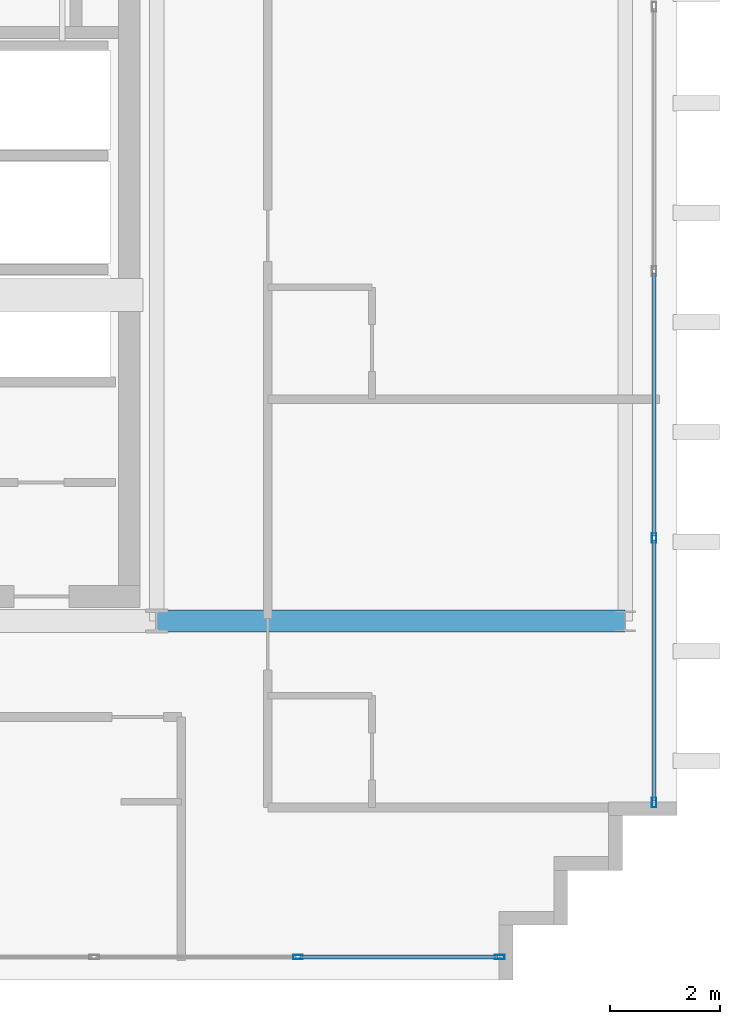
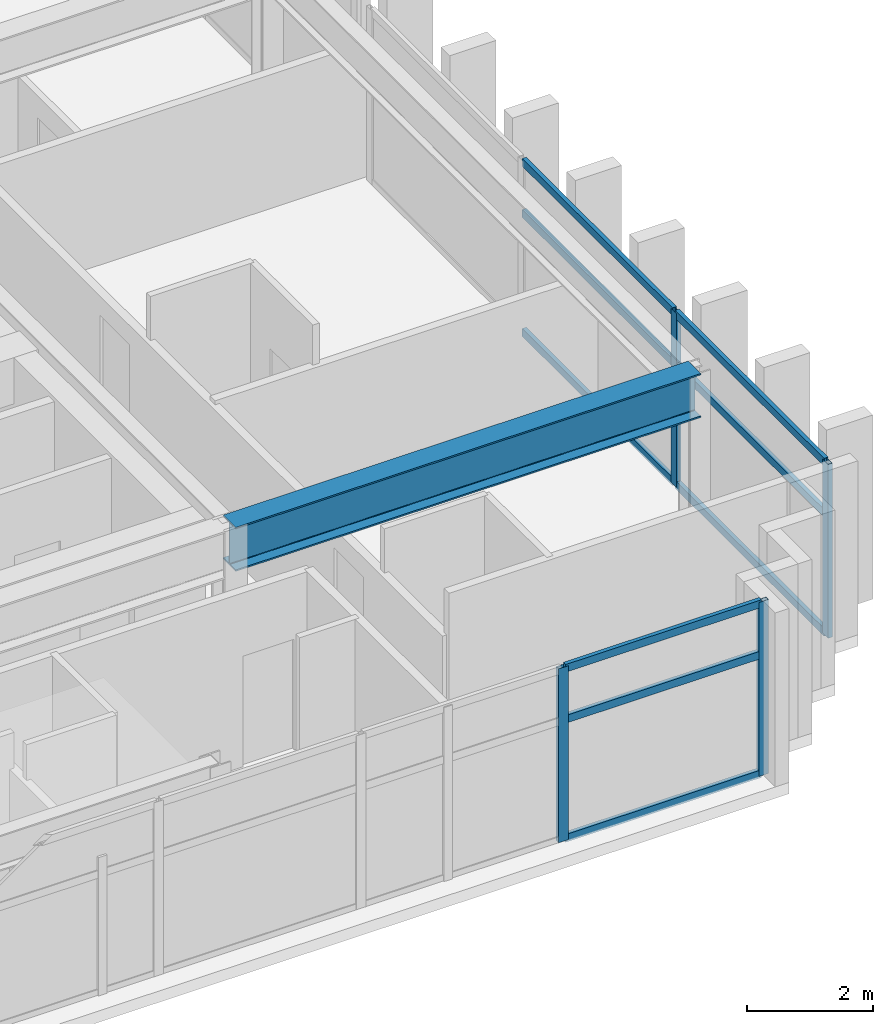
# One storey, part 4 of 15: 13 members, 1 beam, 2 elements without a shape of their own.
"""IFC4 building model written with IfcOpenShell, lengths in metres."""

from ifc_helpers import new_model, si_unit, direction, frame, origin, origin_2d, place, context, subcontext, project, spatial, hollow_rectangle, i_section, extrude, source, transform, mapped, material, layer, layer_set, material_profile, profile_set, type_object, element, aggregate, save


model = new_model("IFC4")

# Units and contexts
model_context = context("Model", 3, precision=1e-05, world=origin(), true_north=direction((0.0, 1.0)))
body_context = subcontext(model_context, "Body", "Model", "MODEL_VIEW")
ifc_project = project(units=[si_unit("LENGTHUNIT", "METRE"), si_unit("AREAUNIT", "SQUARE_METRE"), si_unit("VOLUMEUNIT", "CUBIC_METRE"), si_unit("PLANEANGLEUNIT", "RADIAN"), si_unit("MASSUNIT", "GRAM", prefix="KILO")], contexts=[model_context])

# Site, building, storey
site_placement = place(None, origin())
site = spatial("IfcSite", under=ifc_project, at=site_placement, CompositionType="ELEMENT")
building_placement = place(site_placement, origin())
building = spatial("IfcBuilding", under=site, at=building_placement, Name="Ocotamira Hotel", CompositionType="ELEMENT")
storey_placement = place(building_placement, frame((0.0, 0.0, 290.39990234375)))
storey = spatial("IfcBuildingStorey", under=building, at=storey_placement, Name="L74", CompositionType="ELEMENT", Elevation=290.39990234375)

# Beam
ifc_material_1 = material(Name="Steel ASTM A992 Grade 50", Category="steel")
ifc_material_profile_1 = material_profile(ifc_material_1, i_section(OverallWidth=0.39990234375, OverallDepth=0.85595703125, WebThickness=0.018310546875, FlangeThickness=0.029296875, FilletRadius=0.02001953125, at=origin_2d()), Name="W33X201")
ifc_profile_set_1 = profile_set([ifc_material_profile_1], Name="Steel ASTM A992 Grade 50")
beam_type = type_object("IfcBeamType", Name="BM-GIRD-W33X201", PredefinedType="BEAM", material=ifc_profile_set_1)
shared_shape_1 = source(origin(), body_context, "Body", "SweptSolid", [
    extrude(i_section(OverallWidth=0.39990234375, OverallDepth=0.85595703125, WebThickness=0.018310546875, FlangeThickness=0.029296875, FilletRadius=0.02001953125, at=origin_2d()), origin(), (0.0, 0.0, 1.0), 8.550048828125),
])
beam_placement = place(storey_placement, frame((23.5, 14.550048828125, 2.9521484375), z_axis=(1.0, 0.0, 0.0), x_axis=(0.0, 1.0, 0.0)))
element("IfcBeam", 1, at=beam_placement, inside=storey, type_object=beam_type, Name="L74 Girder Y14.55 X23.5-32.05", PredefinedType="BEAM", context=body_context, shape_type="MappedRepresentation", body=[
    mapped(shared_shape_1, transform((0.0, 0.0, 0.0), scale=1.0)),
])

# Curtain wall, members
ifc_material_2 = material(Name="Anodised pale-metal aluminium and solar glass", Category="aluminium")
ifc_layer = layer(ifc_material_2, 0.2099609375)
ifc_layer_set = layer_set([ifc_layer], Name="Anodised pale-metal aluminium and solar glass")
curtain_wall_type = type_object("IfcCurtainWallType", Name="CW-SYS7-PEAK", PredefinedType="NOTDEFINED", material=ifc_layer_set)
curtain_wall_1_placement = place(storey_placement, origin())
curtain_wall_1 = element("IfcCurtainWall", 2, at=curtain_wall_1_placement, inside=storey, type_object=curtain_wall_type, Name="L74 Curtain Wall CW-7 CW-L74-S1", PredefinedType="NOTDEFINED")
ifc_material_3 = material(Name="Anodised pale-metal aluminium 6063-T6", Category="aluminium")
ifc_material_profile_2 = material_profile(ifc_material_3, hollow_rectangle(XDim=0.080078125, YDim=0.179931640625, WallThickness=0.006103515625, at=origin_2d()), Name="HSS180X80X6")
ifc_profile_set_2 = profile_set([ifc_material_profile_2], Name="Anodised pale-metal aluminium 6063-T6")
member_type_1 = type_object("IfcMemberType", Name="CWM-180X75", PredefinedType="MULLION", material=ifc_profile_set_2)
shared_shape_2 = source(origin(), body_context, "Body", "SweptSolid", [
    extrude(hollow_rectangle(XDim=0.080078125, YDim=0.179931640625, WallThickness=0.006103515625, at=origin_2d()), origin(), (0.0, 0.0, 1.0), 3.380126953125),
])
member_1_placement = place(storey_placement, frame((26.080078125, 8.419921875, 0.0), z_axis=(0.0, 0.0, 1.0), x_axis=(0.0, 1.0, 0.0)))
member_1 = element("IfcMember", 3, at=member_1_placement, type_object=member_type_1, Name="CW-7 mullion 5", PredefinedType="MULLION", context=body_context, shape_type="MappedRepresentation", body=[
    mapped(shared_shape_2, transform((0.0, 0.0, 0.0), scale=1.0)),
])
member_2_placement = place(storey_placement, frame((29.760009765625, 8.419921875, 0.0), z_axis=(0.0, 0.0, 1.0), x_axis=(0.0, 1.0, 0.0)))
member_2 = element("IfcMember", 4, at=member_2_placement, type_object=member_type_1, Name="CW-7 mullion 6", PredefinedType="MULLION", context=body_context, shape_type="MappedRepresentation", body=[
    mapped(shared_shape_2, transform((0.0, 0.0, 0.0), scale=1.0)),
])

curtain_wall_2_placement = place(storey_placement, origin())
curtain_wall_2 = element("IfcCurtainWall", 5, at=curtain_wall_2_placement, inside=storey, type_object=curtain_wall_type, Name="L74 Curtain Wall CW-7 CW-L74-E1", PredefinedType="NOTDEFINED")
member_3_placement = place(storey_placement, frame((32.580078125, 11.239990234375, 0.0), z_axis=(0.0, 0.0, 1.0), x_axis=(-1.0, 0.0, 0.0)))
member_3 = element("IfcMember", 6, at=member_3_placement, type_object=member_type_1, Name="CW-7 mullion 1", PredefinedType="MULLION", context=body_context, shape_type="MappedRepresentation", body=[
    mapped(shared_shape_2, transform((0.0, 0.0, 0.0), scale=1.0)),
])
member_4_placement = place(storey_placement, frame((32.580078125, 16.066650390625, 0.0), z_axis=(0.0, 0.0, 1.0), x_axis=(-1.0, 0.0, 0.0)))
member_4 = element("IfcMember", 7, at=member_4_placement, type_object=member_type_1, Name="CW-7 mullion 2", PredefinedType="MULLION", context=body_context, shape_type="MappedRepresentation", body=[
    mapped(shared_shape_2, transform((0.0, 0.0, 0.0), scale=1.0)),
])

# Member
ifc_material_profile_3 = material_profile(ifc_material_3, hollow_rectangle(XDim=0.074951171875, YDim=0.14990234375, WallThickness=0.006103515625, at=origin_2d()), Name="HSS150X75X6")
ifc_profile_set_3 = profile_set([ifc_material_profile_3], Name="Anodised pale-metal aluminium 6063-T6")
member_type_2 = type_object("IfcMemberType", Name="CWT-150X75", PredefinedType="USERDEFINED", material=ifc_profile_set_3)
shared_shape_3 = source(origin(), body_context, "Body", "SweptSolid", [
    extrude(hollow_rectangle(XDim=0.074951171875, YDim=0.14990234375, WallThickness=0.006103515625, at=origin_2d()), origin(), (0.0, 0.0, 1.0), 3.599853515625),
])
member_5_placement = place(storey_placement, frame((26.1201171875, 8.419921875, 0.03759765625), z_axis=(1.0, 0.0, 0.0), x_axis=(0.0, 1.0, 0.0)))
member_5 = element("IfcMember", 8, at=member_5_placement, type_object=member_type_2, Name="CW-7 transom 5.1", ObjectType="TRANSOM", PredefinedType="USERDEFINED", context=body_context, shape_type="MappedRepresentation", body=[
    mapped(shared_shape_3, transform((0.0, 0.0, 0.0), scale=1.0)),
])

member_6_placement = place(storey_placement, frame((26.1201171875, 8.419921875, 2.35009765625), z_axis=(1.0, 0.0, 0.0), x_axis=(0.0, 1.0, 0.0)))
member_6 = element("IfcMember", 9, at=member_6_placement, type_object=member_type_2, Name="CW-7 transom 5.2", ObjectType="TRANSOM", PredefinedType="USERDEFINED", context=body_context, shape_type="MappedRepresentation", body=[
    mapped(shared_shape_3, transform((0.0, 0.0, 0.0), scale=1.0)),
])

member_7_placement = place(storey_placement, frame((26.1201171875, 8.419921875, 3.342529296875), z_axis=(1.0, 0.0, 0.0), x_axis=(0.0, 1.0, 0.0)))
member_7 = element("IfcMember", 10, at=member_7_placement, type_object=member_type_2, Name="CW-7 transom 5.3", ObjectType="TRANSOM", PredefinedType="USERDEFINED", context=body_context, shape_type="MappedRepresentation", body=[
    mapped(shared_shape_3, transform((0.0, 0.0, 0.0), scale=1.0)),
])

aggregate(curtain_wall_1, [member_1, member_2, member_5, member_6, member_7])

shared_shape_4 = source(origin(), body_context, "Body", "SweptSolid", [
    extrude(hollow_rectangle(XDim=0.074951171875, YDim=0.14990234375, WallThickness=0.006103515625, at=origin_2d()), origin(), (0.0, 0.0, 1.0), 4.74658203125),
])
member_8_placement = place(storey_placement, frame((32.580078125, 11.280029296875, 0.03759765625), z_axis=(0.0, 1.0, 0.0), x_axis=(-1.0, 0.0, 0.0)))
member_8 = element("IfcMember", 11, at=member_8_placement, type_object=member_type_2, Name="CW-7 transom 1.1", ObjectType="TRANSOM", PredefinedType="USERDEFINED", context=body_context, shape_type="MappedRepresentation", body=[
    mapped(shared_shape_4, transform((0.0, 0.0, 0.0), scale=1.0)),
])

member_9_placement = place(storey_placement, frame((32.580078125, 11.280029296875, 2.35009765625), z_axis=(0.0, 1.0, 0.0), x_axis=(-1.0, 0.0, 0.0)))
member_9 = element("IfcMember", 12, at=member_9_placement, type_object=member_type_2, Name="CW-7 transom 1.2", ObjectType="TRANSOM", PredefinedType="USERDEFINED", context=body_context, shape_type="MappedRepresentation", body=[
    mapped(shared_shape_4, transform((0.0, 0.0, 0.0), scale=1.0)),
])

member_10_placement = place(storey_placement, frame((32.580078125, 11.280029296875, 3.342529296875), z_axis=(0.0, 1.0, 0.0), x_axis=(-1.0, 0.0, 0.0)))
member_10 = element("IfcMember", 13, at=member_10_placement, type_object=member_type_2, Name="CW-7 transom 1.3", ObjectType="TRANSOM", PredefinedType="USERDEFINED", context=body_context, shape_type="MappedRepresentation", body=[
    mapped(shared_shape_4, transform((0.0, 0.0, 0.0), scale=1.0)),
])

shared_shape_5 = source(origin(), body_context, "Body", "SweptSolid", [
    extrude(hollow_rectangle(XDim=0.074951171875, YDim=0.14990234375, WallThickness=0.006103515625, at=origin_2d()), origin(), (0.0, 0.0, 1.0), 4.78662109375),
])
member_11_placement = place(storey_placement, frame((32.580078125, 16.106689453125, 0.03759765625), z_axis=(0.0, 1.0, 0.0), x_axis=(-1.0, 0.0, 0.0)))
member_11 = element("IfcMember", 14, at=member_11_placement, type_object=member_type_2, Name="CW-7 transom 2.1", ObjectType="TRANSOM", PredefinedType="USERDEFINED", context=body_context, shape_type="MappedRepresentation", body=[
    mapped(shared_shape_5, transform((0.0, 0.0, 0.0), scale=1.0)),
])

member_12_placement = place(storey_placement, frame((32.580078125, 16.106689453125, 2.35009765625), z_axis=(0.0, 1.0, 0.0), x_axis=(-1.0, 0.0, 0.0)))
member_12 = element("IfcMember", 15, at=member_12_placement, type_object=member_type_2, Name="CW-7 transom 2.2", ObjectType="TRANSOM", PredefinedType="USERDEFINED", context=body_context, shape_type="MappedRepresentation", body=[
    mapped(shared_shape_5, transform((0.0, 0.0, 0.0), scale=1.0)),
])

member_13_placement = place(storey_placement, frame((32.580078125, 16.106689453125, 3.342529296875), z_axis=(0.0, 1.0, 0.0), x_axis=(-1.0, 0.0, 0.0)))
member_13 = element("IfcMember", 16, at=member_13_placement, type_object=member_type_2, Name="CW-7 transom 2.3", ObjectType="TRANSOM", PredefinedType="USERDEFINED", context=body_context, shape_type="MappedRepresentation", body=[
    mapped(shared_shape_5, transform((0.0, 0.0, 0.0), scale=1.0)),
])

aggregate(curtain_wall_2, [member_3, member_4, member_8, member_9, member_10, member_11, member_12, member_13])

save(model, "model.ifc")
